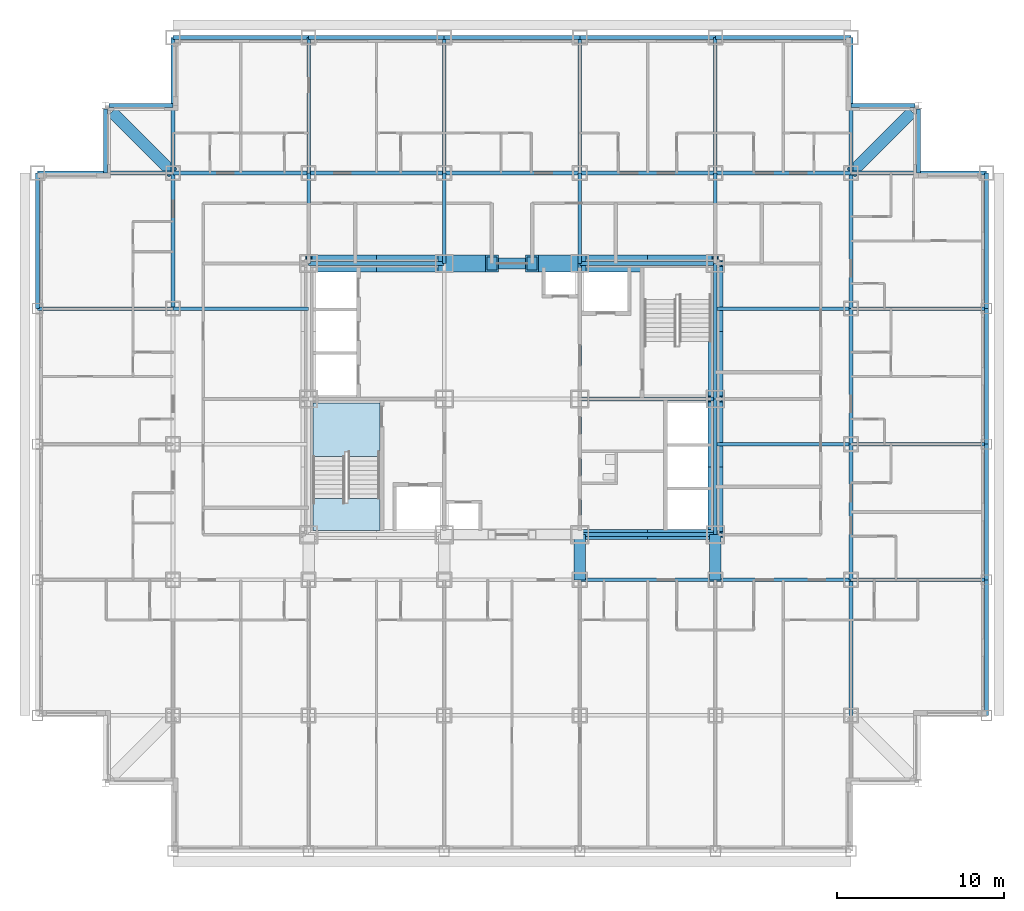
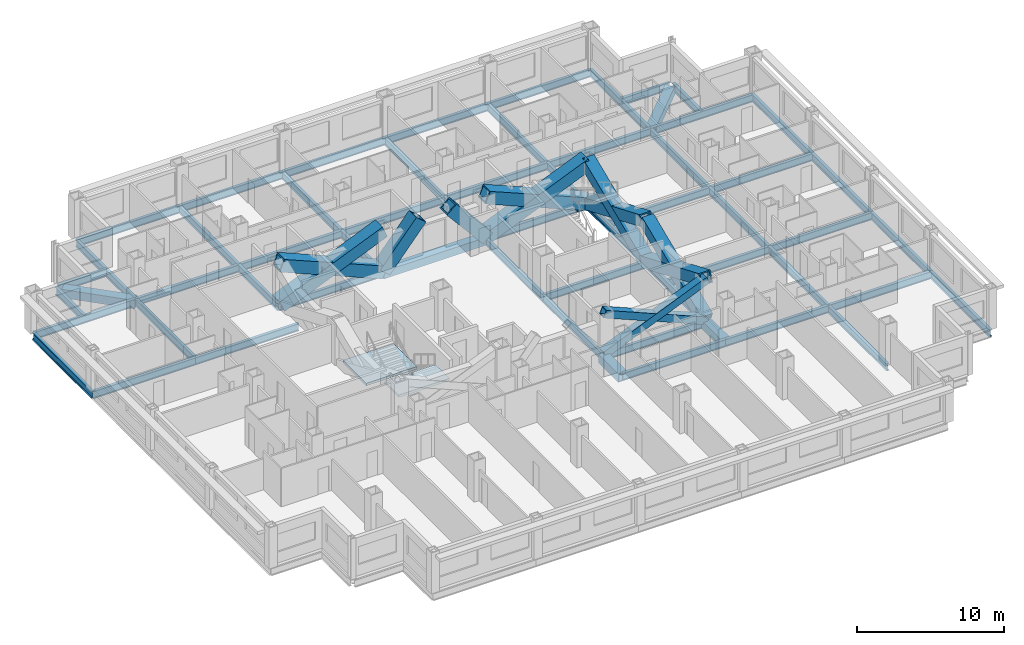
# One storey, part 2 of 14: 58 beams, 12 members, 2 slabs, 1 element without a shape of its own.
"""IFC4 building model written with IfcOpenShell, lengths in metres."""

from ifc_helpers import new_model, si_unit, direction, frame, origin, origin_2d, place, context, subcontext, project, spatial, polyline, hollow_rectangle, i_section, outline, extrude, material, layer, layer_set, material_profile, profile_set, type_object, element, aggregate, save


model = new_model("IFC4")

# Units and contexts
model_context = context("Model", 3, precision=1e-05, world=origin(), true_north=direction((0.0, 1.0)))
body_context = subcontext(model_context, "Body", "Model", "MODEL_VIEW")
ifc_project = project(units=[si_unit("LENGTHUNIT", "METRE"), si_unit("AREAUNIT", "SQUARE_METRE"), si_unit("VOLUMEUNIT", "CUBIC_METRE"), si_unit("PLANEANGLEUNIT", "RADIAN"), si_unit("MASSUNIT", "GRAM", prefix="KILO")], contexts=[model_context])

# Site, building, storey
site_placement = place(None, origin())
site = spatial("IfcSite", under=ifc_project, at=site_placement, CompositionType="ELEMENT")
building_placement = place(site_placement, origin())
building = spatial("IfcBuilding", under=site, at=building_placement, Name="Kopane Lantern Tower", CompositionType="ELEMENT")
storey_placement = place(building_placement, frame((0.0, 0.0, 123.800048828125)))
storey = spatial("IfcBuildingStorey", under=building, at=storey_placement, Name="L31", CompositionType="ELEMENT", Elevation=123.800048828125)

# Members
ifc_material_1 = material(Name="Steel S355JR", Category="steel")
ifc_material_profile_1 = material_profile(ifc_material_1, hollow_rectangle(XDim=1.0, YDim=1.0, WallThickness=0.10009765625, at=origin_2d()), Name="BOX 1000x1000x100")
ifc_profile_set_1 = profile_set([ifc_material_profile_1], Name="Steel S355JR")
member_type_1 = type_object("IfcMemberType", Name="BRACE BOX 1000x1000x100", PredefinedType="BRACE", material=ifc_profile_set_1)
for number, where, z_axis, x_axis, name in (
    (1, (16.199951171875, 40.5, -0.2099609375), (0.922069000757, 0.0, 0.387025526088), (0.0, 1.0, 0.0), "Core brace L31"),
    (2, (24.300048828125, 40.5, -0.2099609375), (-0.922069000757, 0.0, 0.387025526088), (0.0, -1.0, 0.0), "Core brace L31"),
):
    element("IfcMember", number, at=place(storey_placement, frame(where, z_axis=z_axis, x_axis=x_axis)), inside=storey, type_object=member_type_1, Name=name, PredefinedType="BRACE", context=body_context, shape_type="SweptSolid", body=[
        extrude(hollow_rectangle(XDim=1.0, YDim=1.0, WallThickness=0.10009765625, at=origin_2d()), origin(), (0.0, 0.0, 1.0), 8.78466796875),
    ])
for number, where, z_axis, x_axis, name in (
    (3, (24.300048828125, 40.5, -0.2099609375), (0.642390257445, 0.0, 0.7663776857), (0.0, 1.0, 0.0), "Core brace L31"),
    (4, (32.39990234375, 40.5, -0.2099609375), (-0.642390257445, 0.0, 0.7663776857), (0.0, -1.0, 0.0), "Core brace L31"),
):
    element("IfcMember", number, at=place(storey_placement, frame(where, z_axis=z_axis, x_axis=x_axis)), inside=storey, type_object=member_type_1, Name=name, PredefinedType="BRACE", context=body_context, shape_type="SweptSolid", body=[
        extrude(hollow_rectangle(XDim=1.0, YDim=1.0, WallThickness=0.10009765625, at=origin_2d()), origin(), (0.0, 0.0, 1.0), 4.436279296875),
    ])
for number, where, z_axis, x_axis, name in (
    (5, (32.39990234375, 40.5, -0.2099609375), (0.922069000757, 0.0, 0.387025526088), (0.0, 1.0, 0.0), "Core brace L31"),
    (6, (40.5, 40.5, -0.2099609375), (-0.922069000757, 0.0, 0.387025526088), (0.0, -1.0, 0.0), "Core brace L31"),
):
    element("IfcMember", number, at=place(storey_placement, frame(where, z_axis=z_axis, x_axis=x_axis)), inside=storey, type_object=member_type_1, Name=name, PredefinedType="BRACE", context=body_context, shape_type="SweptSolid", body=[
        extrude(hollow_rectangle(XDim=1.0, YDim=1.0, WallThickness=0.10009765625, at=origin_2d()), origin(), (0.0, 0.0, 1.0), 8.78466796875),
    ])
ifc_material_2 = material(Name="Steel S355JR", Category="steel")
ifc_material_profile_2 = material_profile(ifc_material_2, hollow_rectangle(XDim=0.60009765625, YDim=0.60009765625, WallThickness=0.050048828125, at=origin_2d()), Name="BOX 600x600x50")
ifc_profile_set_2 = profile_set([ifc_material_profile_2], Name="Steel S355JR")
member_type_2 = type_object("IfcMemberType", Name="BRACE BOX 600x600x50", PredefinedType="BRACE", material=ifc_profile_set_2)
for number, where, z_axis, x_axis, name in (
    (7, (32.39990234375, 24.300048828125, -0.2099609375), (0.922069000757, 0.0, 0.387025526088), (0.0, 1.0, 0.0), "Core brace L31"),
    (8, (40.5, 24.300048828125, -0.2099609375), (-0.922069000757, 0.0, 0.387025526088), (0.0, -1.0, 0.0), "Core brace L31"),
):
    element("IfcMember", number, at=place(storey_placement, frame(where, z_axis=z_axis, x_axis=x_axis)), inside=storey, type_object=member_type_2, Name=name, PredefinedType="BRACE", context=body_context, shape_type="SweptSolid", body=[
        extrude(hollow_rectangle(XDim=0.60009765625, YDim=0.60009765625, WallThickness=0.050048828125, at=origin_2d()), origin(), (0.0, 0.0, 1.0), 8.78466796875),
    ])
ifc_material_3 = material(Name="Steel S355JR", Category="steel")
ifc_material_profile_3 = material_profile(ifc_material_3, hollow_rectangle(XDim=0.89990234375, YDim=0.89990234375, WallThickness=0.090087890625, at=origin_2d()), Name="BOX 900x900x90")
ifc_profile_set_3 = profile_set([ifc_material_profile_3], Name="Steel S355JR")
member_type_3 = type_object("IfcMemberType", Name="BRACE BOX 900x900x90", PredefinedType="BRACE", material=ifc_profile_set_3)
for number, where, z_axis, x_axis, name in (
    (9, (40.5, 24.300048828125, -0.2099609375), (0.0, 0.922064837731, 0.38703544414), (-1.0, 0.0, 0.0), "Core brace L31"),
    (10, (40.5, 32.39990234375, -0.2099609375), (0.0, -0.922064837731, 0.38703544414), (1.0, 0.0, 0.0), "Core brace L31"),
):
    element("IfcMember", number, at=place(storey_placement, frame(where, z_axis=z_axis, x_axis=x_axis)), inside=storey, type_object=member_type_3, Name=name, PredefinedType="BRACE", context=body_context, shape_type="SweptSolid", body=[
        extrude(hollow_rectangle(XDim=0.89990234375, YDim=0.89990234375, WallThickness=0.090087890625, at=origin_2d()), origin(), (0.0, 0.0, 1.0), 8.784423828125),
    ])
for number, where, z_axis, x_axis, name in (
    (11, (40.5, 32.39990234375, -0.2099609375), (0.0, 0.922069000757, 0.387025526088), (-1.0, 0.0, 0.0), "Core brace L31"),
    (12, (40.5, 40.5, -0.2099609375), (0.0, -0.922069000757, 0.387025526088), (1.0, 0.0, 0.0), "Core brace L31"),
):
    element("IfcMember", number, at=place(storey_placement, frame(where, z_axis=z_axis, x_axis=x_axis)), inside=storey, type_object=member_type_3, Name=name, PredefinedType="BRACE", context=body_context, shape_type="SweptSolid", body=[
        extrude(hollow_rectangle(XDim=0.89990234375, YDim=0.89990234375, WallThickness=0.090087890625, at=origin_2d()), origin(), (0.0, 0.0, 1.0), 8.78466796875),
    ])

# Beams
ifc_material_4 = material(Name="Steel S355JR", Category="steel")
ifc_material_profile_4 = material_profile(ifc_material_4, i_section(OverallWidth=0.22900390625, OverallDepth=0.6123046875, WebThickness=0.011962890625, FlangeThickness=0.01953125, FilletRadius=0.0126953125, at=origin_2d()), Name="UB 610x229x125")
ifc_profile_set_4 = profile_set([ifc_material_profile_4], Name="Steel S355JR")
beam_type_1 = type_object("IfcBeamType", Name="CORE BEAM UB 610x229x125", PredefinedType="BEAM", material=ifc_profile_set_4)
beam_1_placement = place(storey_placement, frame((32.39990234375, 24.300048828125, -0.51611328125), z_axis=(0.0, 1.0, 0.0), x_axis=(-1.0, 0.0, 0.0)))
element("IfcBeam", 13, at=beam_1_placement, inside=storey, type_object=beam_type_1, Name="Core Beam L31", PredefinedType="BEAM", context=body_context, shape_type="SweptSolid", body=[
    extrude(i_section(OverallWidth=0.22900390625, OverallDepth=0.6123046875, WebThickness=0.011962890625, FlangeThickness=0.01953125, FilletRadius=0.0126953125, at=origin_2d()), origin(), (0.0, 0.0, 1.0), 8.099853515625),
])
for number, where, z_axis, x_axis, name in (
    (14, (32.39990234375, 32.39990234375, -0.51611328125), (0.0, 1.0, 0.0), (-1.0, 0.0, 0.0), "Core Beam L31"),
    (15, (32.39990234375, 32.39990234375, -0.51611328125), (1.0, 0.0, 0.0), (0.0, 1.0, 0.0), "Core Beam L31"),
):
    element("IfcBeam", number, at=place(storey_placement, frame(where, z_axis=z_axis, x_axis=x_axis)), inside=storey, type_object=beam_type_1, Name=name, PredefinedType="BEAM", context=body_context, shape_type="SweptSolid", body=[
        extrude(i_section(OverallWidth=0.22900390625, OverallDepth=0.6123046875, WebThickness=0.011962890625, FlangeThickness=0.01953125, FilletRadius=0.0126953125, at=origin_2d()), origin(), (0.0, 0.0, 1.0), 8.10009765625),
    ])
ifc_material_5 = material(Name="Steel S355JR", Category="steel")
ifc_material_profile_5 = material_profile(ifc_material_5, hollow_rectangle(XDim=0.699951171875, YDim=0.699951171875, WallThickness=0.06005859375, at=origin_2d()), Name="BOX 700x700x60")
ifc_profile_set_5 = profile_set([ifc_material_profile_5], Name="Steel S355JR")
beam_type_2 = type_object("IfcBeamType", Name="CORNER TIE BEAM BOX 700x700x60", PredefinedType="BEAM", material=ifc_profile_set_5)
beam_2_placement = place(storey_placement, frame((4.447509765625, 49.552490234375, -0.56005859375), z_axis=(0.707106781187, -0.707106781187, 0.0), x_axis=(0.707106781187, 0.707106781187, 0.0)))
element("IfcBeam", 16, at=beam_2_placement, inside=storey, type_object=beam_type_2, Name="Corner Tie Beam L31", PredefinedType="BEAM", context=body_context, shape_type="SweptSolid", body=[
    extrude(hollow_rectangle(XDim=0.699951171875, YDim=0.699951171875, WallThickness=0.06005859375, at=origin_2d()), origin(), (0.0, 0.0, 1.0), 5.16552734375),
])
beam_3_placement = place(storey_placement, frame((52.25244140625, 49.552490234375, -0.56005859375), z_axis=(-0.707083148333, -0.70713041325, 0.0), x_axis=(0.70713041325, -0.707083148333, 0.0)))
element("IfcBeam", 17, at=beam_3_placement, inside=storey, type_object=beam_type_2, Name="Corner Tie Beam L31", PredefinedType="BEAM", context=body_context, shape_type="SweptSolid", body=[
    extrude(hollow_rectangle(XDim=0.699951171875, YDim=0.699951171875, WallThickness=0.06005859375, at=origin_2d()), origin(), (0.0, 0.0, 1.0), 5.165283203125),
])
ifc_material_6 = material(Name="Steel S355JR", Category="steel")
ifc_material_profile_6 = material_profile(ifc_material_6, i_section(OverallWidth=0.22900390625, OverallDepth=0.6123046875, WebThickness=0.011962890625, FlangeThickness=0.01953125, FilletRadius=0.0126953125, at=origin_2d()), Name="UB 610x229x125")
ifc_profile_set_6 = profile_set([ifc_material_profile_6], Name="Steel S355JR")
beam_type_3 = type_object("IfcBeamType", Name="EDGE BEAM UB 610x229x125", PredefinedType="BEAM", material=ifc_profile_set_6)
for number, where, z_axis, x_axis, name in (
    (18, (4.050048828125, 49.74658203125, -0.51611328125), (0.0, -1.0, 0.0), (1.0, 0.0, 0.0), "Edge Beam L31"),
    (19, (4.25341796875, 49.949951171875, -0.51611328125), (1.0, 0.0, 0.0), (0.0, 1.0, 0.0), "Edge Beam L31"),
):
    element("IfcBeam", number, at=place(storey_placement, frame(where, z_axis=z_axis, x_axis=x_axis)), inside=storey, type_object=beam_type_3, Name=name, PredefinedType="BEAM", context=body_context, shape_type="SweptSolid", body=[
        extrude(i_section(OverallWidth=0.22900390625, OverallDepth=0.6123046875, WebThickness=0.011962890625, FlangeThickness=0.01953125, FilletRadius=0.0126953125, at=origin_2d()), origin(), (0.0, 0.0, 1.0), 3.8466796875),
    ])
beam_4_placement = place(storey_placement, frame((52.446533203125, 49.949951171875, -0.51611328125), z_axis=(-1.0, 0.0, 0.0), x_axis=(0.0, -1.0, 0.0)))
element("IfcBeam", 20, at=beam_4_placement, inside=storey, type_object=beam_type_3, Name="Edge Beam L31", PredefinedType="BEAM", context=body_context, shape_type="SweptSolid", body=[
    extrude(i_section(OverallWidth=0.22900390625, OverallDepth=0.6123046875, WebThickness=0.011962890625, FlangeThickness=0.01953125, FilletRadius=0.0126953125, at=origin_2d()), origin(), (0.0, 0.0, 1.0), 3.846435546875),
])
beam_5_placement = place(storey_placement, frame((52.64990234375, 49.74658203125, -0.51611328125), z_axis=(0.0, -1.0, 0.0), x_axis=(1.0, 0.0, 0.0)))
element("IfcBeam", 21, at=beam_5_placement, inside=storey, type_object=beam_type_3, Name="Edge Beam L31", PredefinedType="BEAM", context=body_context, shape_type="SweptSolid", body=[
    extrude(i_section(OverallWidth=0.22900390625, OverallDepth=0.6123046875, WebThickness=0.011962890625, FlangeThickness=0.01953125, FilletRadius=0.0126953125, at=origin_2d()), origin(), (0.0, 0.0, 1.0), 3.8466796875),
])
ifc_material_7 = material(Name="Steel S355JR", Category="steel")
ifc_material_profile_7 = material_profile(ifc_material_7, hollow_rectangle(XDim=0.699951171875, YDim=0.699951171875, WallThickness=0.06005859375, at=origin_2d()), Name="BOX 700x700x60")
ifc_profile_set_7 = profile_set([ifc_material_profile_7], Name="Steel S355JR")
beam_type_4 = type_object("IfcBeamType", Name="GIRDER BOX 700x700x60", PredefinedType="BEAM", material=ifc_profile_set_7)
for number, where, z_axis, x_axis, name in (
    (22, (32.39990234375, 21.60009765625, -0.56005859375), (0.0, 1.0, 0.0), (-1.0, 0.0, 0.0), "Girder L31"),
    (23, (40.5, 21.60009765625, -0.56005859375), (0.0, 1.0, 0.0), (-1.0, 0.0, 0.0), "Girder L31"),
):
    element("IfcBeam", number, at=place(storey_placement, frame(where, z_axis=z_axis, x_axis=x_axis)), inside=storey, type_object=beam_type_4, Name=name, PredefinedType="BEAM", context=body_context, shape_type="SweptSolid", body=[
        extrude(hollow_rectangle(XDim=0.699951171875, YDim=0.699951171875, WallThickness=0.06005859375, at=origin_2d()), origin(), (0.0, 0.0, 1.0), 2.699951171875),
    ])
ifc_material_8 = material(Name="Steel S355JR", Category="steel")
ifc_material_profile_8 = material_profile(ifc_material_8, i_section(OverallWidth=0.22900390625, OverallDepth=0.6123046875, WebThickness=0.011962890625, FlangeThickness=0.01953125, FilletRadius=0.0126953125, at=origin_2d()), Name="UB 610x229x125")
ifc_profile_set_8 = profile_set([ifc_material_profile_8], Name="Steel S355JR")
beam_type_5 = type_object("IfcBeamType", Name="GIRDER UB 610x229x125", PredefinedType="BEAM", material=ifc_profile_set_8)
beam_6_placement = place(storey_placement, frame((0.0, 37.800048828125, -0.51611328125), z_axis=(0.0, 1.0, 0.0), x_axis=(-1.0, 0.0, 0.0)))
element("IfcBeam", 24, at=beam_6_placement, inside=storey, type_object=beam_type_5, Name="Girder L31", PredefinedType="BEAM", context=body_context, shape_type="SweptSolid", body=[
    extrude(i_section(OverallWidth=0.22900390625, OverallDepth=0.6123046875, WebThickness=0.011962890625, FlangeThickness=0.01953125, FilletRadius=0.0126953125, at=origin_2d()), origin(), (0.0, 0.0, 1.0), 8.099853515625),
])
for number, where, z_axis, x_axis, name in (
    (25, (0.0, 37.800048828125, -0.51611328125), (1.0, 0.0, 0.0), (0.0, 1.0, 0.0), "Girder L31"),
    (26, (0.0, 45.89990234375, -0.51611328125), (1.0, 0.0, 0.0), (0.0, 1.0, 0.0), "Girder L31"),
):
    element("IfcBeam", number, at=place(storey_placement, frame(where, z_axis=z_axis, x_axis=x_axis)), inside=storey, type_object=beam_type_5, Name=name, PredefinedType="BEAM", context=body_context, shape_type="SweptSolid", body=[
        extrude(i_section(OverallWidth=0.22900390625, OverallDepth=0.6123046875, WebThickness=0.011962890625, FlangeThickness=0.01953125, FilletRadius=0.0126953125, at=origin_2d()), origin(), (0.0, 0.0, 1.0), 8.10009765625),
    ])
for number, where, z_axis, x_axis, name in (
    (27, (8.10009765625, 37.800048828125, -0.51611328125), (0.0, 1.0, 0.0), (-1.0, 0.0, 0.0), "Girder L31"),
    (28, (8.10009765625, 37.800048828125, -0.51611328125), (1.0, 0.0, 0.0), (0.0, 1.0, 0.0), "Girder L31"),
):
    element("IfcBeam", number, at=place(storey_placement, frame(where, z_axis=z_axis, x_axis=x_axis)), inside=storey, type_object=beam_type_5, Name=name, PredefinedType="BEAM", context=body_context, shape_type="SweptSolid", body=[
        extrude(i_section(OverallWidth=0.22900390625, OverallDepth=0.6123046875, WebThickness=0.011962890625, FlangeThickness=0.01953125, FilletRadius=0.0126953125, at=origin_2d()), origin(), (0.0, 0.0, 1.0), 8.099853515625),
    ])
beam_7_placement = place(storey_placement, frame((8.10009765625, 45.89990234375, -0.51611328125), z_axis=(0.0, 1.0, 0.0), x_axis=(-1.0, 0.0, 0.0)))
element("IfcBeam", 29, at=beam_7_placement, inside=storey, type_object=beam_type_5, Name="Girder L31", PredefinedType="BEAM", context=body_context, shape_type="SweptSolid", body=[
    extrude(i_section(OverallWidth=0.22900390625, OverallDepth=0.6123046875, WebThickness=0.011962890625, FlangeThickness=0.01953125, FilletRadius=0.0126953125, at=origin_2d()), origin(), (0.0, 0.0, 1.0), 8.10009765625),
])
for number, where, z_axis, x_axis, name in (
    (30, (8.10009765625, 45.89990234375, -0.51611328125), (1.0, 0.0, 0.0), (0.0, 1.0, 0.0), "Girder L31"),
    (31, (8.10009765625, 54.0, -0.51611328125), (1.0, 0.0, 0.0), (0.0, 1.0, 0.0), "Girder L31"),
):
    element("IfcBeam", number, at=place(storey_placement, frame(where, z_axis=z_axis, x_axis=x_axis)), inside=storey, type_object=beam_type_5, Name=name, PredefinedType="BEAM", context=body_context, shape_type="SweptSolid", body=[
        extrude(i_section(OverallWidth=0.22900390625, OverallDepth=0.6123046875, WebThickness=0.011962890625, FlangeThickness=0.01953125, FilletRadius=0.0126953125, at=origin_2d()), origin(), (0.0, 0.0, 1.0), 8.099853515625),
    ])
beam_8_placement = place(storey_placement, frame((16.199951171875, 40.5, -0.51611328125), z_axis=(0.0, 1.0, 0.0), x_axis=(-1.0, 0.0, 0.0)))
element("IfcBeam", 32, at=beam_8_placement, inside=storey, type_object=beam_type_5, Name="Girder L31", PredefinedType="BEAM", context=body_context, shape_type="SweptSolid", body=[
    extrude(i_section(OverallWidth=0.22900390625, OverallDepth=0.6123046875, WebThickness=0.011962890625, FlangeThickness=0.01953125, FilletRadius=0.0126953125, at=origin_2d()), origin(), (0.0, 0.0, 1.0), 5.39990234375),
])
for number, where, z_axis, x_axis, name in (
    (33, (16.199951171875, 40.5, -0.51611328125), (1.0, 0.0, 0.0), (0.0, 1.0, 0.0), "Girder L31"),
    (34, (16.199951171875, 45.89990234375, -0.51611328125), (0.0, 1.0, 0.0), (-1.0, 0.0, 0.0), "Girder L31"),
    (35, (16.199951171875, 45.89990234375, -0.51611328125), (1.0, 0.0, 0.0), (0.0, 1.0, 0.0), "Girder L31"),
    (36, (16.199951171875, 54.0, -0.51611328125), (1.0, 0.0, 0.0), (0.0, 1.0, 0.0), "Girder L31"),
):
    element("IfcBeam", number, at=place(storey_placement, frame(where, z_axis=z_axis, x_axis=x_axis)), inside=storey, type_object=beam_type_5, Name=name, PredefinedType="BEAM", context=body_context, shape_type="SweptSolid", body=[
        extrude(i_section(OverallWidth=0.22900390625, OverallDepth=0.6123046875, WebThickness=0.011962890625, FlangeThickness=0.01953125, FilletRadius=0.0126953125, at=origin_2d()), origin(), (0.0, 0.0, 1.0), 8.10009765625),
    ])
beam_9_placement = place(storey_placement, frame((24.300048828125, 40.5, -0.51611328125), z_axis=(0.0, 1.0, 0.0), x_axis=(-1.0, 0.0, 0.0)))
element("IfcBeam", 37, at=beam_9_placement, inside=storey, type_object=beam_type_5, Name="Girder L31", PredefinedType="BEAM", context=body_context, shape_type="SweptSolid", body=[
    extrude(i_section(OverallWidth=0.22900390625, OverallDepth=0.6123046875, WebThickness=0.011962890625, FlangeThickness=0.01953125, FilletRadius=0.0126953125, at=origin_2d()), origin(), (0.0, 0.0, 1.0), 5.39990234375),
])
beam_10_placement = place(storey_placement, frame((24.300048828125, 45.89990234375, -0.51611328125), z_axis=(0.0, 1.0, 0.0), x_axis=(-1.0, 0.0, 0.0)))
element("IfcBeam", 38, at=beam_10_placement, inside=storey, type_object=beam_type_5, Name="Girder L31", PredefinedType="BEAM", context=body_context, shape_type="SweptSolid", body=[
    extrude(i_section(OverallWidth=0.22900390625, OverallDepth=0.6123046875, WebThickness=0.011962890625, FlangeThickness=0.01953125, FilletRadius=0.0126953125, at=origin_2d()), origin(), (0.0, 0.0, 1.0), 8.10009765625),
])
for number, where, z_axis, x_axis, name in (
    (39, (24.300048828125, 45.89990234375, -0.51611328125), (1.0, 0.0, 0.0), (0.0, 1.0, 0.0), "Girder L31"),
    (40, (24.300048828125, 54.0, -0.51611328125), (1.0, 0.0, 0.0), (0.0, 1.0, 0.0), "Girder L31"),
):
    element("IfcBeam", number, at=place(storey_placement, frame(where, z_axis=z_axis, x_axis=x_axis)), inside=storey, type_object=beam_type_5, Name=name, PredefinedType="BEAM", context=body_context, shape_type="SweptSolid", body=[
        extrude(i_section(OverallWidth=0.22900390625, OverallDepth=0.6123046875, WebThickness=0.011962890625, FlangeThickness=0.01953125, FilletRadius=0.0126953125, at=origin_2d()), origin(), (0.0, 0.0, 1.0), 8.099853515625),
    ])
for number, where, z_axis, x_axis, name in (
    (41, (32.39990234375, 21.60009765625, -0.51611328125), (1.0, 0.0, 0.0), (0.0, 1.0, 0.0), "Girder L31"),
    (42, (32.39990234375, 24.300048828125, -0.51611328125), (1.0, 0.0, 0.0), (0.0, 1.0, 0.0), "Girder L31"),
):
    element("IfcBeam", number, at=place(storey_placement, frame(where, z_axis=z_axis, x_axis=x_axis)), inside=storey, type_object=beam_type_5, Name=name, PredefinedType="BEAM", context=body_context, shape_type="SweptSolid", body=[
        extrude(i_section(OverallWidth=0.22900390625, OverallDepth=0.6123046875, WebThickness=0.011962890625, FlangeThickness=0.01953125, FilletRadius=0.0126953125, at=origin_2d()), origin(), (0.0, 0.0, 1.0), 8.10009765625),
    ])
beam_11_placement = place(storey_placement, frame((32.39990234375, 40.5, -0.51611328125), z_axis=(0.0, 1.0, 0.0), x_axis=(-1.0, 0.0, 0.0)))
element("IfcBeam", 43, at=beam_11_placement, inside=storey, type_object=beam_type_5, Name="Girder L31", PredefinedType="BEAM", context=body_context, shape_type="SweptSolid", body=[
    extrude(i_section(OverallWidth=0.22900390625, OverallDepth=0.6123046875, WebThickness=0.011962890625, FlangeThickness=0.01953125, FilletRadius=0.0126953125, at=origin_2d()), origin(), (0.0, 0.0, 1.0), 5.39990234375),
])
for number, where, z_axis, x_axis, name in (
    (44, (32.39990234375, 40.5, -0.51611328125), (1.0, 0.0, 0.0), (0.0, 1.0, 0.0), "Girder L31"),
    (45, (32.39990234375, 45.89990234375, -0.51611328125), (0.0, 1.0, 0.0), (-1.0, 0.0, 0.0), "Girder L31"),
    (46, (32.39990234375, 45.89990234375, -0.51611328125), (1.0, 0.0, 0.0), (0.0, 1.0, 0.0), "Girder L31"),
    (47, (32.39990234375, 54.0, -0.51611328125), (1.0, 0.0, 0.0), (0.0, 1.0, 0.0), "Girder L31"),
    (48, (40.5, 21.60009765625, -0.51611328125), (1.0, 0.0, 0.0), (0.0, 1.0, 0.0), "Girder L31"),
):
    element("IfcBeam", number, at=place(storey_placement, frame(where, z_axis=z_axis, x_axis=x_axis)), inside=storey, type_object=beam_type_5, Name=name, PredefinedType="BEAM", context=body_context, shape_type="SweptSolid", body=[
        extrude(i_section(OverallWidth=0.22900390625, OverallDepth=0.6123046875, WebThickness=0.011962890625, FlangeThickness=0.01953125, FilletRadius=0.0126953125, at=origin_2d()), origin(), (0.0, 0.0, 1.0), 8.10009765625),
    ])
beam_12_placement = place(storey_placement, frame((40.5, 24.300048828125, -0.51611328125), z_axis=(0.0, 1.0, 0.0), x_axis=(-1.0, 0.0, 0.0)))
element("IfcBeam", 49, at=beam_12_placement, inside=storey, type_object=beam_type_5, Name="Girder L31", PredefinedType="BEAM", context=body_context, shape_type="SweptSolid", body=[
    extrude(i_section(OverallWidth=0.22900390625, OverallDepth=0.6123046875, WebThickness=0.011962890625, FlangeThickness=0.01953125, FilletRadius=0.0126953125, at=origin_2d()), origin(), (0.0, 0.0, 1.0), 8.099853515625),
])
for number, where, z_axis, x_axis, name in (
    (50, (40.5, 29.699951171875, -0.51611328125), (1.0, 0.0, 0.0), (0.0, 1.0, 0.0), "Girder L31"),
    (51, (40.5, 32.39990234375, -0.51611328125), (0.0, 1.0, 0.0), (-1.0, 0.0, 0.0), "Girder L31"),
    (52, (40.5, 37.800048828125, -0.51611328125), (1.0, 0.0, 0.0), (0.0, 1.0, 0.0), "Girder L31"),
):
    element("IfcBeam", number, at=place(storey_placement, frame(where, z_axis=z_axis, x_axis=x_axis)), inside=storey, type_object=beam_type_5, Name=name, PredefinedType="BEAM", context=body_context, shape_type="SweptSolid", body=[
        extrude(i_section(OverallWidth=0.22900390625, OverallDepth=0.6123046875, WebThickness=0.011962890625, FlangeThickness=0.01953125, FilletRadius=0.0126953125, at=origin_2d()), origin(), (0.0, 0.0, 1.0), 8.10009765625),
    ])
beam_13_placement = place(storey_placement, frame((40.5, 40.5, -0.51611328125), z_axis=(0.0, 1.0, 0.0), x_axis=(-1.0, 0.0, 0.0)))
element("IfcBeam", 53, at=beam_13_placement, inside=storey, type_object=beam_type_5, Name="Girder L31", PredefinedType="BEAM", context=body_context, shape_type="SweptSolid", body=[
    extrude(i_section(OverallWidth=0.22900390625, OverallDepth=0.6123046875, WebThickness=0.011962890625, FlangeThickness=0.01953125, FilletRadius=0.0126953125, at=origin_2d()), origin(), (0.0, 0.0, 1.0), 5.39990234375),
])
for number, where, z_axis, x_axis, name in (
    (54, (40.5, 45.89990234375, -0.51611328125), (0.0, 1.0, 0.0), (-1.0, 0.0, 0.0), "Girder L31"),
    (55, (40.5, 45.89990234375, -0.51611328125), (1.0, 0.0, 0.0), (0.0, 1.0, 0.0), "Girder L31"),
    (56, (40.5, 54.0, -0.51611328125), (1.0, 0.0, 0.0), (0.0, 1.0, 0.0), "Girder L31"),
    (57, (48.60009765625, 13.5, -0.51611328125), (0.0, 1.0, 0.0), (-1.0, 0.0, 0.0), "Girder L31"),
):
    element("IfcBeam", number, at=place(storey_placement, frame(where, z_axis=z_axis, x_axis=x_axis)), inside=storey, type_object=beam_type_5, Name=name, PredefinedType="BEAM", context=body_context, shape_type="SweptSolid", body=[
        extrude(i_section(OverallWidth=0.22900390625, OverallDepth=0.6123046875, WebThickness=0.011962890625, FlangeThickness=0.01953125, FilletRadius=0.0126953125, at=origin_2d()), origin(), (0.0, 0.0, 1.0), 8.10009765625),
    ])
for number, where, z_axis, x_axis, name in (
    (58, (48.60009765625, 21.60009765625, -0.51611328125), (0.0, 1.0, 0.0), (-1.0, 0.0, 0.0), "Girder L31"),
    (59, (48.60009765625, 21.60009765625, -0.51611328125), (1.0, 0.0, 0.0), (0.0, 1.0, 0.0), "Girder L31"),
):
    element("IfcBeam", number, at=place(storey_placement, frame(where, z_axis=z_axis, x_axis=x_axis)), inside=storey, type_object=beam_type_5, Name=name, PredefinedType="BEAM", context=body_context, shape_type="SweptSolid", body=[
        extrude(i_section(OverallWidth=0.22900390625, OverallDepth=0.6123046875, WebThickness=0.011962890625, FlangeThickness=0.01953125, FilletRadius=0.0126953125, at=origin_2d()), origin(), (0.0, 0.0, 1.0), 8.099853515625),
    ])
beam_14_placement = place(storey_placement, frame((48.60009765625, 29.699951171875, -0.51611328125), z_axis=(0.0, 1.0, 0.0), x_axis=(-1.0, 0.0, 0.0)))
element("IfcBeam", 60, at=beam_14_placement, inside=storey, type_object=beam_type_5, Name="Girder L31", PredefinedType="BEAM", context=body_context, shape_type="SweptSolid", body=[
    extrude(i_section(OverallWidth=0.22900390625, OverallDepth=0.6123046875, WebThickness=0.011962890625, FlangeThickness=0.01953125, FilletRadius=0.0126953125, at=origin_2d()), origin(), (0.0, 0.0, 1.0), 8.10009765625),
])
for number, where, z_axis, x_axis, name in (
    (61, (48.60009765625, 29.699951171875, -0.51611328125), (1.0, 0.0, 0.0), (0.0, 1.0, 0.0), "Girder L31"),
    (62, (48.60009765625, 37.800048828125, -0.51611328125), (0.0, 1.0, 0.0), (-1.0, 0.0, 0.0), "Girder L31"),
    (63, (48.60009765625, 37.800048828125, -0.51611328125), (1.0, 0.0, 0.0), (0.0, 1.0, 0.0), "Girder L31"),
):
    element("IfcBeam", number, at=place(storey_placement, frame(where, z_axis=z_axis, x_axis=x_axis)), inside=storey, type_object=beam_type_5, Name=name, PredefinedType="BEAM", context=body_context, shape_type="SweptSolid", body=[
        extrude(i_section(OverallWidth=0.22900390625, OverallDepth=0.6123046875, WebThickness=0.011962890625, FlangeThickness=0.01953125, FilletRadius=0.0126953125, at=origin_2d()), origin(), (0.0, 0.0, 1.0), 8.099853515625),
    ])
beam_15_placement = place(storey_placement, frame((48.60009765625, 45.89990234375, -0.51611328125), z_axis=(0.0, 1.0, 0.0), x_axis=(-1.0, 0.0, 0.0)))
element("IfcBeam", 64, at=beam_15_placement, inside=storey, type_object=beam_type_5, Name="Girder L31", PredefinedType="BEAM", context=body_context, shape_type="SweptSolid", body=[
    extrude(i_section(OverallWidth=0.22900390625, OverallDepth=0.6123046875, WebThickness=0.011962890625, FlangeThickness=0.01953125, FilletRadius=0.0126953125, at=origin_2d()), origin(), (0.0, 0.0, 1.0), 8.10009765625),
])
beam_16_placement = place(storey_placement, frame((48.60009765625, 45.89990234375, -0.51611328125), z_axis=(1.0, 0.0, 0.0), x_axis=(0.0, 1.0, 0.0)))
element("IfcBeam", 65, at=beam_16_placement, inside=storey, type_object=beam_type_5, Name="Girder L31", PredefinedType="BEAM", context=body_context, shape_type="SweptSolid", body=[
    extrude(i_section(OverallWidth=0.22900390625, OverallDepth=0.6123046875, WebThickness=0.011962890625, FlangeThickness=0.01953125, FilletRadius=0.0126953125, at=origin_2d()), origin(), (0.0, 0.0, 1.0), 8.099853515625),
])
beam_17_placement = place(storey_placement, frame((56.699951171875, 13.5, -0.51611328125), z_axis=(0.0, 1.0, 0.0), x_axis=(-1.0, 0.0, 0.0)))
element("IfcBeam", 66, at=beam_17_placement, inside=storey, type_object=beam_type_5, Name="Girder L31", PredefinedType="BEAM", context=body_context, shape_type="SweptSolid", body=[
    extrude(i_section(OverallWidth=0.22900390625, OverallDepth=0.6123046875, WebThickness=0.011962890625, FlangeThickness=0.01953125, FilletRadius=0.0126953125, at=origin_2d()), origin(), (0.0, 0.0, 1.0), 8.10009765625),
])
beam_18_placement = place(storey_placement, frame((56.699951171875, 21.60009765625, -0.51611328125), z_axis=(0.0, 1.0, 0.0), x_axis=(-1.0, 0.0, 0.0)))
element("IfcBeam", 67, at=beam_18_placement, inside=storey, type_object=beam_type_5, Name="Girder L31", PredefinedType="BEAM", context=body_context, shape_type="SweptSolid", body=[
    extrude(i_section(OverallWidth=0.22900390625, OverallDepth=0.6123046875, WebThickness=0.011962890625, FlangeThickness=0.01953125, FilletRadius=0.0126953125, at=origin_2d()), origin(), (0.0, 0.0, 1.0), 8.099853515625),
])
beam_19_placement = place(storey_placement, frame((56.699951171875, 29.699951171875, -0.51611328125), z_axis=(0.0, 1.0, 0.0), x_axis=(-1.0, 0.0, 0.0)))
element("IfcBeam", 68, at=beam_19_placement, inside=storey, type_object=beam_type_5, Name="Girder L31", PredefinedType="BEAM", context=body_context, shape_type="SweptSolid", body=[
    extrude(i_section(OverallWidth=0.22900390625, OverallDepth=0.6123046875, WebThickness=0.011962890625, FlangeThickness=0.01953125, FilletRadius=0.0126953125, at=origin_2d()), origin(), (0.0, 0.0, 1.0), 8.10009765625),
])
beam_20_placement = place(storey_placement, frame((56.699951171875, 37.800048828125, -0.51611328125), z_axis=(0.0, 1.0, 0.0), x_axis=(-1.0, 0.0, 0.0)))
element("IfcBeam", 69, at=beam_20_placement, inside=storey, type_object=beam_type_5, Name="Girder L31", PredefinedType="BEAM", context=body_context, shape_type="SweptSolid", body=[
    extrude(i_section(OverallWidth=0.22900390625, OverallDepth=0.6123046875, WebThickness=0.011962890625, FlangeThickness=0.01953125, FilletRadius=0.0126953125, at=origin_2d()), origin(), (0.0, 0.0, 1.0), 8.099853515625),
])
ifc_material_9 = material(Name="Steel S355JR", Category="steel")
ifc_material_profile_9 = material_profile(ifc_material_9, hollow_rectangle(XDim=0.64990234375, YDim=0.64990234375, WallThickness=0.070068359375, at=origin_2d()), Name="BOX 650x650x70")
ifc_profile_set_9 = profile_set([ifc_material_profile_9], Name="Steel S355JR")
beam_type_6 = type_object("IfcBeamType", Name="LINK BEAM BOX 650x650x70", PredefinedType="BEAM", material=ifc_profile_set_9)
beam_21_placement = place(storey_placement, frame((24.300048828125, 40.5, -0.53515625), z_axis=(1.0, 0.0, 0.0), x_axis=(0.0, 1.0, 0.0)))
element("IfcBeam", 70, at=beam_21_placement, inside=storey, type_object=beam_type_6, Name="Link Beam L31", PredefinedType="BEAM", context=body_context, shape_type="SweptSolid", body=[
    extrude(hollow_rectangle(XDim=0.64990234375, YDim=0.64990234375, WallThickness=0.070068359375, at=origin_2d()), origin(), (0.0, 0.0, 1.0), 8.099853515625),
])

# Stair, slabs
ifc_material_10 = material(Name="Steel S355JR", Category="steel")
stair_type = type_object("IfcStairType", Name="EXIT STAIR 1900 HALF TURN", PredefinedType="HALF_TURN_STAIR", material=ifc_material_10)
stair_placement = place(storey_placement, origin())
stair = element("IfcStair", 71, at=stair_placement, inside=storey, type_object=stair_type, Name="Exit stair ST1 L31", PredefinedType="HALF_TURN_STAIR")
ifc_material_11 = material(Name="Concrete C40/50", Category="concrete")
ifc_layer = layer(ifc_material_11, 0.199951171875)
ifc_layer_set = layer_set([ifc_layer], Name="STAIR LANDING 200")
slab_type = type_object("IfcSlabType", Name="STAIR LANDING 200", PredefinedType="LANDING", material=ifc_layer_set)
slab_1_placement = place(storey_placement, frame((0.0, 0.0, -0.199951171875)))
slab_1 = element("IfcSlab", 72, at=slab_1_placement, type_object=slab_type, Name="ST1 landing 1", PredefinedType="LANDING", context=body_context, shape_type="SweptSolid", body=[
    extrude(outline(polyline([(18.35009765625, 29.25), (18.550048828125, 29.25), (18.550048828125, 28.969970703125), (20.449951171875, 28.969970703125), (20.449951171875, 32.14990234375), (16.449951171875, 32.14990234375), (16.449951171875, 28.969970703125), (18.35009765625, 28.969970703125), (18.35009765625, 29.25)])), origin(), (0.0, 0.0, 1.0), 0.199951171875),
])
slab_2_placement = place(storey_placement, frame((0.0, 0.0, 1.5)))
slab_2 = element("IfcSlab", 73, at=slab_2_placement, type_object=slab_type, Name="ST1 landing 2", PredefinedType="LANDING", context=body_context, shape_type="SweptSolid", body=[
    extrude(outline(polyline([(20.449951171875, 26.449951171875), (18.550048828125, 26.449951171875), (18.550048828125, 26.169921875), (18.35009765625, 26.169921875), (18.35009765625, 26.449951171875), (16.449951171875, 26.449951171875), (16.449951171875, 24.550048828125), (20.449951171875, 24.550048828125), (20.449951171875, 26.449951171875)])), origin(), (0.0, 0.0, 1.0), 0.199951171875),
])
aggregate(stair, [slab_1, slab_2])

save(model, "model.ifc")
